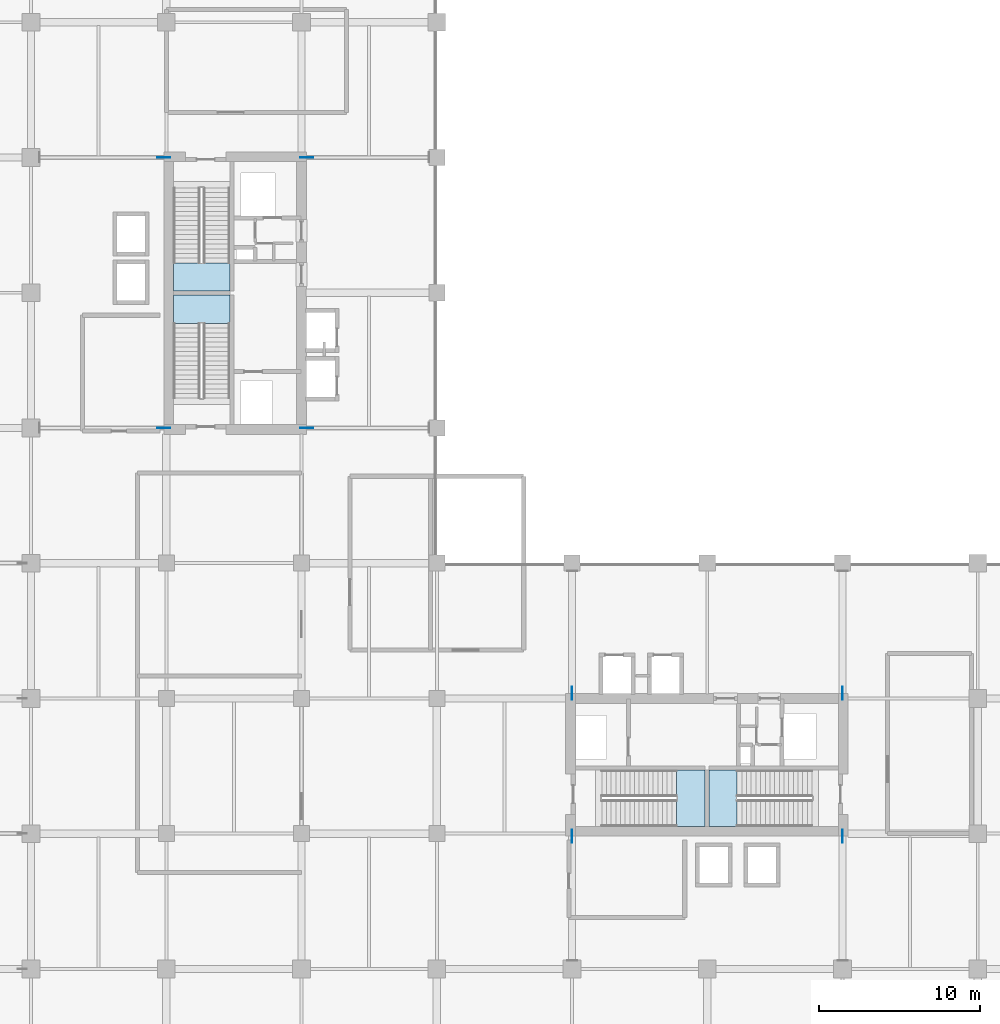
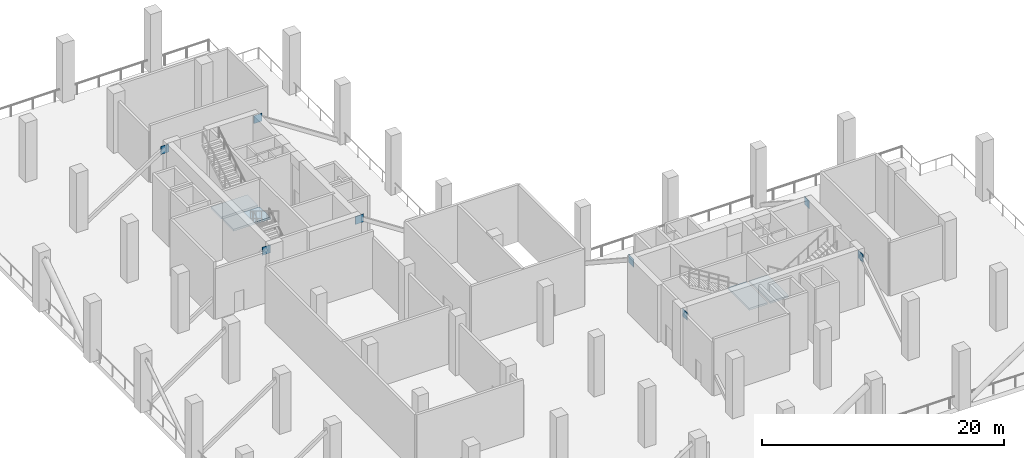
# One storey, part 3 of 18: 8 plates, 4 slabs, 4 elements without a shape of their own.
"""IFC4 building model written with IfcOpenShell, lengths in metres."""

import ifcopenshell
import ifcopenshell.guid

model = None  # the IFC model being written
_history = None  # IfcOwnerHistory: only IFC2X3 demands one
_inside = {}  # id of a spatial element -> (the spatial element, [elements in it])
_under = {}  # id of a project, library or spatial element -> (it, [spatial elements below it])
_declared = {}  # id of a project -> (the project, [libraries it declares])
_typed = {}  # id of a type object -> (the type object, [elements of that type])
_made_of = {}  # id of a material, layer set ... -> (it, [elements and type objects made of it])


def new_model(schema):
    """Start an empty IFC model of exactly this schema.

    Asked for "IFC4X3", IfcOpenShell would pick the latest addendum, in which some entities
    have other attributes; the version numbers below select the first issue.
    IFC2X3 requires an IfcOwnerHistory on every rooted entity: one is made here for all.
    """
    global model, _history
    if schema == "IFC4X3":
        model = ifcopenshell.file(schema_version=(4, 3, 0, 0))
    else:
        model = ifcopenshell.file(schema=schema)
    _inside.clear()
    _under.clear()
    _declared.clear()
    _typed.clear()
    _made_of.clear()
    _history = None
    if model.schema == "IFC2X3":
        org = make("IfcOrganization", Name="unknown")
        user = make(
            "IfcPersonAndOrganization",
            ThePerson=make("IfcPerson", FamilyName="unknown"),
            TheOrganization=org,
        )
        app = make(
            "IfcApplication",
            ApplicationDeveloper=org,
            Version="unknown",
            ApplicationFullName="unknown",
            ApplicationIdentifier="unknown",
        )
        _history = make(
            "IfcOwnerHistory",
            OwningUser=user,
            OwningApplication=app,
            ChangeAction="ADDED",
            CreationDate=0,
        )
    return model


def make(cls, **values):
    """One entity of the class cls with the attributes given. An attribute that is None is left unset."""
    return model.create_entity(
        cls, **{name: value for name, value in values.items() if value is not None}
    )


def rooted(cls, **values):
    """An entity with a GlobalId (a new one), such as an element, a storey or a relation."""
    return make(cls, GlobalId=ifcopenshell.guid.new(), OwnerHistory=_history, **values)


def si_unit(unit_type, name, prefix=None):
    """IfcSIUnit, for example si_unit("LENGTHUNIT", "METRE", prefix="MILLI")."""
    return make("IfcSIUnit", UnitType=unit_type, Prefix=prefix, Name=name)


def assignment(units):
    """IfcUnitAssignment: the units of a project."""
    return None if units is None else make("IfcUnitAssignment", Units=units)


def point(xyz):
    """IfcCartesianPoint."""
    return None if xyz is None else make("IfcCartesianPoint", Coordinates=xyz)


def direction(xyz):
    """IfcDirection."""
    return None if xyz is None else make("IfcDirection", DirectionRatios=xyz)


def frame(location, z_axis=None, x_axis=None):
    """IfcAxis2Placement3D, a coordinate frame: its origin and axes. An axis left out is left unset."""
    return make(
        "IfcAxis2Placement3D",
        Location=point(location),
        Axis=direction(z_axis),
        RefDirection=direction(x_axis),
    )


def frame_2d(location, x_axis=None):
    """IfcAxis2Placement2D, a coordinate frame in the plane: its origin and x axis."""
    return make(
        "IfcAxis2Placement2D", Location=point(location), RefDirection=direction(x_axis)
    )


def origin():
    """The frame at (0, 0, 0) with its axes left unset."""
    return frame((0.0, 0.0, 0.0))


def origin_2d():
    """The frame at (0, 0) in the plane with its x axis left unset."""
    return frame_2d((0.0, 0.0))


def place(relative_to, where):
    """IfcLocalPlacement: puts the frame where relative to a parent placement (None: the world)."""
    return make(
        "IfcLocalPlacement", PlacementRelTo=relative_to, RelativePlacement=where
    )


def context(
    kind, dimensions, precision=None, world=None, true_north=None, identifier=None
):
    """IfcGeometricRepresentationContext, for example the 3D "Model" context."""
    return make(
        "IfcGeometricRepresentationContext",
        ContextIdentifier=identifier,
        ContextType=kind,
        CoordinateSpaceDimension=dimensions,
        Precision=precision,
        WorldCoordinateSystem=world,
        TrueNorth=true_north,
    )


def subcontext(parent, identifier, kind, view, scale=None):
    """IfcGeometricRepresentationSubContext, for example "Body" below "Model"."""
    return make(
        "IfcGeometricRepresentationSubContext",
        ContextIdentifier=identifier,
        ContextType=kind,
        ParentContext=parent,
        TargetScale=scale,
        TargetView=view,
    )


def project(units=None, contexts=None):
    """IfcProject with its units and contexts."""
    return rooted(
        "IfcProject",
        Name="project",
        RepresentationContexts=contexts,
        UnitsInContext=assignment(units),
    )


def spatial(cls, under=None, at=None, **own):
    """A site, building, storey or space (cls), placed at a placement, below another one or the project."""
    s = rooted(cls, ObjectPlacement=at, **own)
    if under is not None:
        _under.setdefault(under.id(), (under, []))[1].append(s)
    return s


def polyline(points):
    """IfcPolyline through the points."""
    return make("IfcPolyline", Points=[point(p) for p in points])


def profile(cls, at=None, kind="AREA", **sizes):
    """A parametric profile (cls). Its sizes go by their IFC names, for example OverallWidth=200.0."""
    return make(cls, ProfileType=kind, Position=at, **sizes)


def rectangle(**sizes):
    """IfcRectangleProfileDef."""
    return profile("IfcRectangleProfileDef", **sizes)


def outline(outer, holes=None, kind="AREA"):
    """IfcArbitraryClosedProfileDef: a profile drawn as a closed curve; with holes, ...WithVoids."""
    if holes is None:
        return make("IfcArbitraryClosedProfileDef", ProfileType=kind, OuterCurve=outer)
    return make(
        "IfcArbitraryProfileDefWithVoids",
        ProfileType=kind,
        OuterCurve=outer,
        InnerCurves=holes,
    )


def extrude(swept, where, along, depth):
    """IfcExtrudedAreaSolid: the profile swept, set in the frame where, extruded along a direction by depth."""
    return make(
        "IfcExtrudedAreaSolid",
        SweptArea=swept,
        Position=where,
        ExtrudedDirection=direction(along),
        Depth=depth,
    )


def shape(context_of_items, identifier, shape_type, items):
    """IfcShapeRepresentation: the items that make up one representation, for example the "Body"."""
    return make(
        "IfcShapeRepresentation",
        ContextOfItems=context_of_items,
        RepresentationIdentifier=identifier,
        RepresentationType=shape_type,
        Items=items,
    )


def material(Name=None, Category=None):
    """IfcMaterial."""
    return make("IfcMaterial", Name=Name, Category=Category)


def layer(
    of_material, thickness, ventilated=None, Name=None, Category=None, Priority=None
):
    """IfcMaterialLayer: one layer of a wall or slab, of a material (None: an air gap)."""
    return make(
        "IfcMaterialLayer",
        Material=of_material,
        LayerThickness=thickness,
        IsVentilated=ventilated,
        Name=Name,
        Category=Category,
        Priority=Priority,
    )


def layer_set(layers, Name=None):
    """IfcMaterialLayerSet."""
    return make("IfcMaterialLayerSet", MaterialLayers=layers, LayerSetName=Name)


def made_of(thing, what):
    """Note that an element or type object is made of a material, layer set ...; save() writes the relation."""
    if what is not None:
        _made_of.setdefault(what.id(), (what, []))[1].append(thing)
    return thing


def type_object(cls, material=None, **own):
    """A type object (cls), such as IfcWallType, which elements share."""
    return made_of(rooted(cls, **own), material)


def element(
    cls,
    number,
    at=None,
    inside=None,
    cuts=None,
    type_object=None,
    material=None,
    context=None,
    identifier="Body",
    shape_type=None,
    held_by="IfcProductDefinitionShape",
    body=None,
    shapes=None,
    **own,
):
    """One element of the class cls, such as IfcWall. Its Tag is "e" and its number.

    at: its placement. inside: the storey or other place that contains it. cuts: it is an
    opening in that element (IfcRelVoidsElement). A single representation is given by context,
    identifier, shape_type and body (its items); several are given by shapes. held_by: the class
    of the entity that holds the representations. save() writes the other relations.
    """
    e = rooted(cls, Tag="e%d" % number, ObjectPlacement=at, **own)
    if body is not None:
        shapes = [shape(context, identifier, shape_type, body)]
    if shapes is not None:
        e.Representation = make(held_by, Representations=shapes)
    if inside is not None:
        _inside.setdefault(inside.id(), (inside, []))[1].append(e)
    if cuts is not None:
        rooted(
            "IfcRelVoidsElement", RelatingBuildingElement=cuts, RelatedOpeningElement=e
        )
    if type_object is not None:
        _typed.setdefault(type_object.id(), (type_object, []))[1].append(e)
    return made_of(e, material)


def aggregate(whole, parts):
    """IfcRelAggregates: a whole, such as a stair, and the parts it consists of."""
    return rooted("IfcRelAggregates", RelatingObject=whole, RelatedObjects=parts)


def save(model, path):
    """Write the relations noted so far, then the file.

    IfcRelAggregates (storeys below a building ...), IfcRelContainedInSpatialStructure (elements
    in a storey), IfcRelDefinesByType, IfcRelAssociatesMaterial and IfcRelDeclares: one each for
    every whole, place, type object, material and project.
    """
    for whole, parts in _under.values():
        aggregate(whole, parts)
    for where, things in _inside.values():
        rooted(
            "IfcRelContainedInSpatialStructure",
            RelatedElements=things,
            RelatingStructure=where,
        )
    for kind, things in _typed.values():
        rooted("IfcRelDefinesByType", RelatedObjects=things, RelatingType=kind)
    for what, things in _made_of.values():
        rooted("IfcRelAssociatesMaterial", RelatedObjects=things, RelatingMaterial=what)
    for by, libraries in _declared.values():
        rooted("IfcRelDeclares", RelatingContext=by, RelatedDefinitions=libraries)
    model.write(path)


model = new_model("IFC4")

# Units and contexts
model_context = context("Model", 3, precision=1e-05, world=origin(), true_north=direction((0.0, 1.0)))
body_context = subcontext(model_context, "Body", "Model", "MODEL_VIEW")
ifc_project = project(units=[si_unit("LENGTHUNIT", "METRE"), si_unit("AREAUNIT", "SQUARE_METRE"), si_unit("VOLUMEUNIT", "CUBIC_METRE"), si_unit("PLANEANGLEUNIT", "RADIAN"), si_unit("MASSUNIT", "GRAM", prefix="KILO")], contexts=[model_context])

# Site, building, storey
site_placement = place(None, origin())
site = spatial("IfcSite", under=ifc_project, at=site_placement, CompositionType="ELEMENT")
building_placement = place(site_placement, origin())
building = spatial("IfcBuilding", under=site, at=building_placement, Name="Koriwani Terraces Tower", CompositionType="ELEMENT")
storey_placement = place(building_placement, frame((0.0, 0.0, 228.199951171875)))
storey = spatial("IfcBuildingStorey", under=building, at=storey_placement, Name="L56", CompositionType="ELEMENT", Elevation=228.199951171875)

# Stair, slab
ifc_material_1 = material(Name="Concrete C40/50", Category="concrete")
stair_type = type_object("IfcStairType", Name="STAIR_CORE_DOGLEG_1650", PredefinedType="TWO_STRAIGHT_RUN_STAIR", material=ifc_material_1)
stair_1_placement = place(storey_placement, origin())
stair_1 = element("IfcStair", 1, at=stair_1_placement, inside=storey, type_object=stair_type, Name="L56 West Core Exit Stair 1", PredefinedType="HALF_TURN_STAIR")
ifc_layer_1 = layer(ifc_material_1, 0.199951171875, Name="Concrete C40/50")
ifc_layer_set_1 = layer_set([ifc_layer_1], Name="Concrete C40/50")
slab_type = type_object("IfcSlabType", Name="SLAB_STAIR_LANDING_200", PredefinedType="LANDING", material=ifc_layer_set_1)
slab_1_placement = place(storey_placement, frame((0.0, 0.0, 2.800048828125)))
slab_1 = element("IfcSlab", 2, at=slab_1_placement, type_object=slab_type, Name="ST-W1 landing 1", PredefinedType="LANDING", context=body_context, shape_type="SweptSolid", body=[
    extrude(outline(polyline([(20.75, 48.489990234375), (20.75, 50.25), (17.25, 50.25), (17.25, 48.489990234375), (20.75, 48.489990234375)])), origin(), (0.0, 0.0, 1.0), 0.199951171875),
])
aggregate(stair_1, [slab_1])

stair_2_placement = place(storey_placement, origin())
stair_2 = element("IfcStair", 3, at=stair_2_placement, inside=storey, type_object=stair_type, Name="L56 West Core Exit Stair 2", PredefinedType="HALF_TURN_STAIR")
slab_2_placement = place(storey_placement, frame((0.0, 0.0, 2.800048828125)))
slab_2 = element("IfcSlab", 4, at=slab_2_placement, type_object=slab_type, Name="ST-W2 landing 1", PredefinedType="LANDING", context=body_context, shape_type="SweptSolid", body=[
    extrude(outline(polyline([(17.25, 52.260009765625), (17.25, 50.5), (20.75, 50.5), (20.75, 52.260009765625), (17.25, 52.260009765625)])), origin(), (0.0, 0.0, 1.0), 0.199951171875),
])
aggregate(stair_2, [slab_2])

stair_3_placement = place(storey_placement, origin())
stair_3 = element("IfcStair", 5, at=stair_3_placement, inside=storey, type_object=stair_type, Name="L56 East Core Exit Stair 1", PredefinedType="HALF_TURN_STAIR")
slab_3_placement = place(storey_placement, frame((0.0, 0.0, 2.800048828125)))
slab_3 = element("IfcSlab", 6, at=slab_3_placement, type_object=slab_type, Name="ST-E1 landing 1", PredefinedType="LANDING", context=body_context, shape_type="SweptSolid", body=[
    extrude(outline(polyline([(48.489990234375, 17.25), (50.25, 17.25), (50.25, 20.75), (48.489990234375, 20.75), (48.489990234375, 17.25)])), origin(), (0.0, 0.0, 1.0), 0.199951171875),
])
aggregate(stair_3, [slab_3])

stair_4_placement = place(storey_placement, origin())
stair_4 = element("IfcStair", 7, at=stair_4_placement, inside=storey, type_object=stair_type, Name="L56 East Core Exit Stair 2", PredefinedType="HALF_TURN_STAIR")
slab_4_placement = place(storey_placement, frame((0.0, 0.0, 2.800048828125)))
slab_4 = element("IfcSlab", 8, at=slab_4_placement, type_object=slab_type, Name="ST-E2 landing 1", PredefinedType="LANDING", context=body_context, shape_type="SweptSolid", body=[
    extrude(outline(polyline([(52.260009765625, 20.75), (50.5, 20.75), (50.5, 17.25), (52.260009765625, 17.25), (52.260009765625, 20.75)])), origin(), (0.0, 0.0, 1.0), 0.199951171875),
])
aggregate(stair_4, [slab_4])

# Plates
ifc_material_2 = material(Name="Steel ASTM A572 Grade 50", Category="steel")
ifc_layer_2 = layer(ifc_material_2, 0.0400390625, Name="Steel ASTM A572 Grade 50")
ifc_layer_set_2 = layer_set([ifc_layer_2], Name="Steel ASTM A572 Grade 50")
plate_type = type_object("IfcPlateType", Name="STEEL_GUSSET_PLATE_40", PredefinedType="USERDEFINED", material=ifc_layer_set_2)
for number, where, z_axis, x_axis, name in (
    (9, (16.6298828125, 42.0, 4.669921875), (0.0, 0.0, 1.0), (1.0, 0.0, 0.0), "Outrigger truss node gusset plate L56-OW-W1"),
    (10, (16.6298828125, 58.800048828125, 4.669921875), (0.0, 0.0, 1.0), (1.0, 0.0, 0.0), "Outrigger truss node gusset plate L56-OW-W2"),
    (11, (25.52001953125, 42.0, 4.669921875), (0.0, 0.0, 1.0), (-1.0, 0.0, 0.0), "Outrigger truss node gusset plate L56-OW-E1"),
    (12, (25.52001953125, 58.800048828125, 4.669921875), (0.0, 0.0, 1.0), (-1.0, 0.0, 0.0), "Outrigger truss node gusset plate L56-OW-E2"),
    (13, (42.0, 16.6298828125, 4.669921875), (0.0, 0.0, 1.0), (0.0, 1.0, 0.0), "Outrigger truss node gusset plate L56-OE-S1"),
    (14, (58.800048828125, 16.6298828125, 4.669921875), (0.0, 0.0, 1.0), (0.0, 1.0, 0.0), "Outrigger truss node gusset plate L56-OE-S2"),
    (15, (42.0, 25.52001953125, 4.669921875), (0.0, 0.0, 1.0), (0.0, -1.0, 0.0), "Outrigger truss node gusset plate L56-OE-N1"),
    (16, (58.800048828125, 25.52001953125, 4.669921875), (0.0, 0.0, 1.0), (0.0, -1.0, 0.0), "Outrigger truss node gusset plate L56-OE-N2"),
):
    element("IfcPlate", number, at=place(storey_placement, frame(where, z_axis=z_axis, x_axis=x_axis)), inside=storey, type_object=plate_type, Name=name, ObjectType="GUSSET_PLATE", PredefinedType="USERDEFINED", context=body_context, shape_type="SweptSolid", body=[
        extrude(rectangle(XDim=0.800048828125, YDim=0.0400390625, at=origin_2d()), origin(), (0.0, 0.0, 1.0), 0.800048828125),
    ])

save(model, "model.ifc")
